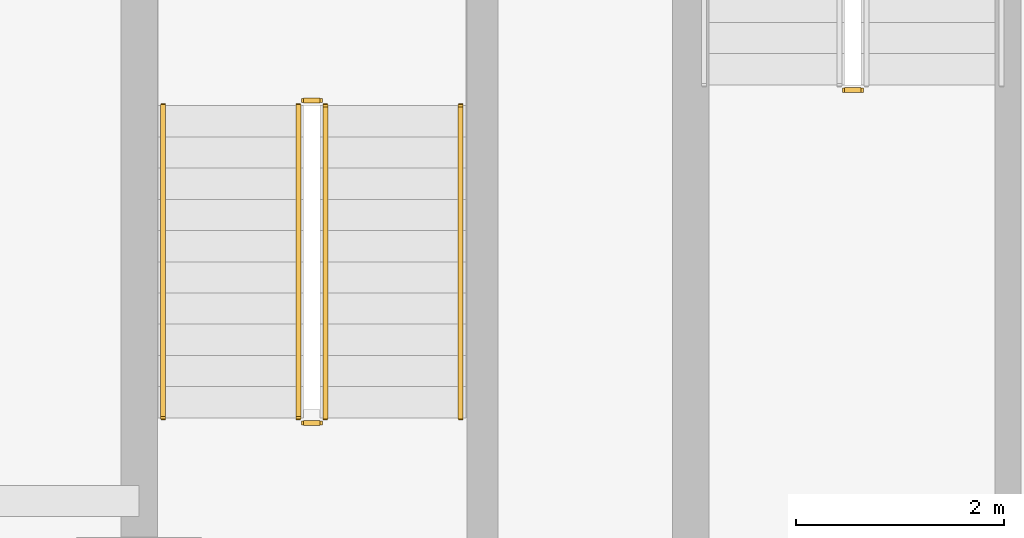
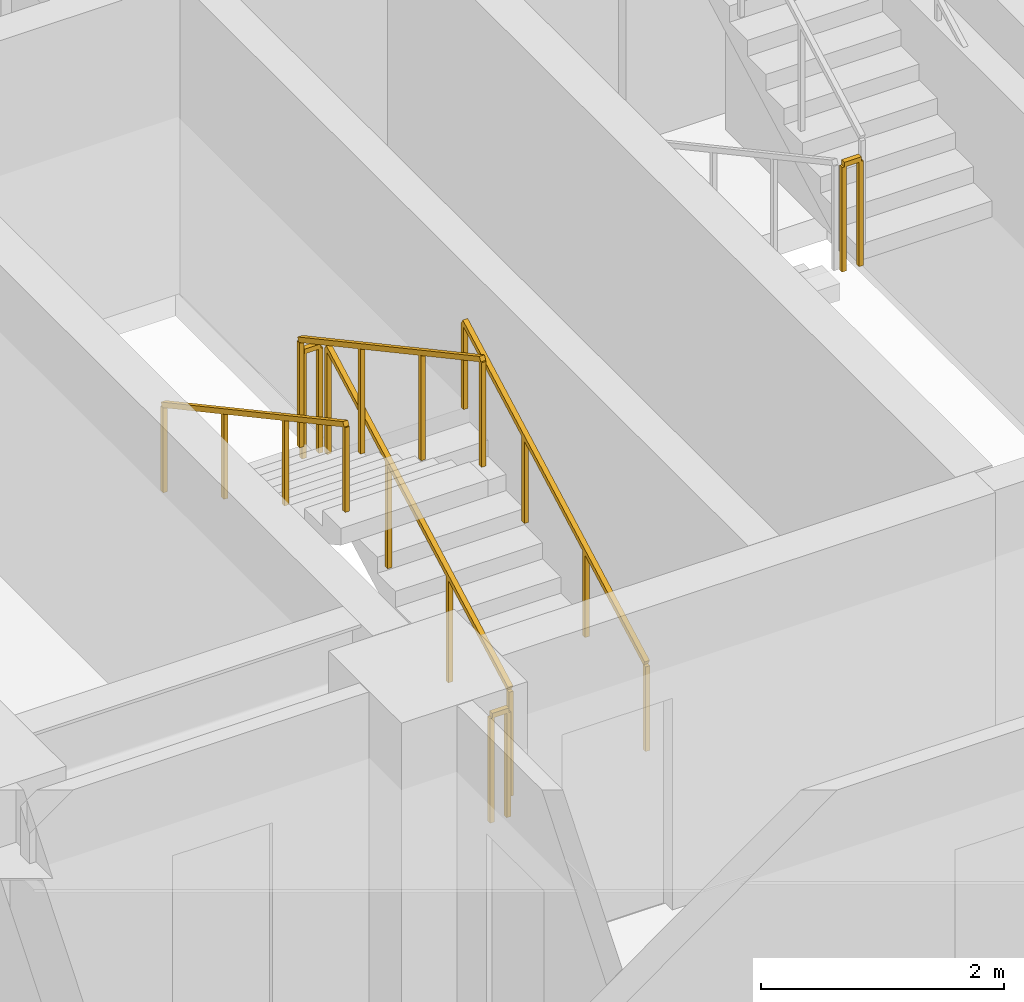
# One storey, part 7 of 12: 7 railings.
"""IFC4 building model written with IfcOpenShell, lengths in metres."""

from ifc_helpers import new_model, si_unit, direction, frame, origin, origin_2d, place, context, subcontext, project, spatial, rectangle, extrude, material, type_object, element, save


model = new_model("IFC4")

# Units and contexts
model_context = context("Model", 3, precision=1e-05, world=origin(), true_north=direction((0.0, 1.0)))
body_context = subcontext(model_context, "Body", "Model", "MODEL_VIEW")
ifc_project = project(units=[si_unit("LENGTHUNIT", "METRE"), si_unit("AREAUNIT", "SQUARE_METRE"), si_unit("VOLUMEUNIT", "CUBIC_METRE"), si_unit("PLANEANGLEUNIT", "RADIAN"), si_unit("MASSUNIT", "GRAM", prefix="KILO")], contexts=[model_context])

# Site, building, storey
site_placement = place(None, origin())
site = spatial("IfcSite", under=ifc_project, at=site_placement, CompositionType="ELEMENT")
building_placement = place(site_placement, origin())
building = spatial("IfcBuilding", under=site, at=building_placement, Name="Zulmaris Gate Convention Tower", CompositionType="ELEMENT")
storey_placement = place(building_placement, frame((0.0, 0.0, 48.6201171875)))
storey = spatial("IfcBuildingStorey", under=building, at=storey_placement, Name="L11", CompositionType="ELEMENT", Elevation=48.6201171875)

# Railings
ifc_material_1 = material(Name="Painted Galvanised Steel", Category="steel")
railing_type_1 = type_object("IfcRailingType", Name="RL-STG-1150", PredefinedType="GUARDRAIL", material=ifc_material_1)
railing_1_placement = place(storey_placement, frame((-13.219970703125, -5.050048828125, 1.784912109375)))
element("IfcRailing", 1, at=railing_1_placement, inside=storey, type_object=railing_type_1, Name="L11 ST-1 stair guard 2", PredefinedType="GUARDRAIL", context=body_context, shape_type="SweptSolid", body=[
    extrude(rectangle(XDim=0.048095703125, YDim=0.048095703125, at=origin_2d()), frame((0.0, 0.0, 1.076171875), z_axis=(1.0, 0.0, 0.0), x_axis=(0.0, 1.0, 0.0)), (0.0, 0.0, 1.0), 0.159912109375),
    extrude(rectangle(XDim=0.0419921875, YDim=0.0419921875, at=origin_2d()), origin(), (0.0, 0.0, 1.0), 1.052001953125),
    extrude(rectangle(XDim=0.0419921875, YDim=0.0419921875, at=origin_2d()), frame((0.159912109375, 0.0, 0.0)), (0.0, 0.0, 1.0), 1.052001953125),
])
railing_2_placement = place(storey_placement, frame((-18.2099609375, -8.199951171875, 0.162353515625)))
element("IfcRailing", 2, at=railing_2_placement, inside=storey, type_object=railing_type_1, Name="L11 ST-3 stair guard 1", PredefinedType="GUARDRAIL", context=body_context, shape_type="SweptSolid", body=[
    extrude(rectangle(XDim=0.048095703125, YDim=0.048095703125, at=origin_2d()), frame((0.0, 0.0, 1.076171875), z_axis=(0.0, 0.879591569277, 0.475729619907), x_axis=(-1.0, 0.0, 0.0)), (0.0, 0.0, 1.0), 3.41064453125),
    extrude(rectangle(XDim=0.0419921875, YDim=0.0419921875, at=origin_2d()), origin(), (0.0, 0.0, 1.0), 1.052001953125),
    extrude(rectangle(XDim=0.0419921875, YDim=0.0419921875, at=origin_2d()), frame((0.0, 1.0, 0.540771484375)), (0.0, 0.0, 1.0), 1.052001953125),
    extrude(rectangle(XDim=0.0419921875, YDim=0.0419921875, at=origin_2d()), frame((0.0, 2.0, 1.081787109375)), (0.0, 0.0, 1.0), 1.052001953125),
    extrude(rectangle(XDim=0.0419921875, YDim=0.0419921875, at=origin_2d()), frame((0.0, 3.0, 1.62255859375)), (0.0, 0.0, 1.0), 1.052001953125),
])
railing_3_placement = place(storey_placement, frame((-18.260009765625, -5.14990234375, 1.784912109375)))
element("IfcRailing", 3, at=railing_3_placement, inside=storey, type_object=railing_type_1, Name="L11 ST-3 stair guard 2", PredefinedType="GUARDRAIL", context=body_context, shape_type="SweptSolid", body=[
    extrude(rectangle(XDim=0.048095703125, YDim=0.048095703125, at=origin_2d()), frame((0.0, 0.0, 1.076171875), z_axis=(-1.0, 0.0, 0.0), x_axis=(0.0, -1.0, 0.0)), (0.0, 0.0, 1.0), 0.159912109375),
    extrude(rectangle(XDim=0.0419921875, YDim=0.0419921875, at=origin_2d()), origin(), (0.0, 0.0, 1.0), 1.052001953125),
    extrude(rectangle(XDim=0.0419921875, YDim=0.0419921875, at=origin_2d()), frame((-0.159912109375, 0.0, 0.0)), (0.0, 0.0, 1.0), 1.052001953125),
])
railing_4_placement = place(storey_placement, frame((-18.469970703125, -5.199951171875, 1.947265625)))
element("IfcRailing", 4, at=railing_4_placement, inside=storey, type_object=railing_type_1, Name="L11 ST-3 stair guard 3", PredefinedType="GUARDRAIL", context=body_context, shape_type="SweptSolid", body=[
    extrude(rectangle(XDim=0.048095703125, YDim=0.048095703125, at=origin_2d()), frame((0.0, 0.0, 1.076171875), z_axis=(0.0, -0.879591569277, 0.475729619907), x_axis=(1.0, 0.0, 0.0)), (0.0, 0.0, 1.0), 3.41064453125),
    extrude(rectangle(XDim=0.0419921875, YDim=0.0419921875, at=origin_2d()), origin(), (0.0, 0.0, 1.0), 1.052001953125),
    extrude(rectangle(XDim=0.0419921875, YDim=0.0419921875, at=origin_2d()), frame((0.0, -1.0, 0.540771484375)), (0.0, 0.0, 1.0), 1.052001953125),
    extrude(rectangle(XDim=0.0419921875, YDim=0.0419921875, at=origin_2d()), frame((0.0, -2.0, 1.081787109375)), (0.0, 0.0, 1.0), 1.052001953125),
    extrude(rectangle(XDim=0.0419921875, YDim=0.0419921875, at=origin_2d()), frame((0.0, -3.0, 1.62255859375)), (0.0, 0.0, 1.0), 1.052001953125),
])
railing_5_placement = place(storey_placement, frame((-18.260009765625, -8.25, 0.0)))
element("IfcRailing", 5, at=railing_5_placement, inside=storey, type_object=railing_type_1, Name="L11 ST-3 stair guard 4", PredefinedType="GUARDRAIL", context=body_context, shape_type="SweptSolid", body=[
    extrude(rectangle(XDim=0.048095703125, YDim=0.048095703125, at=origin_2d()), frame((0.0, 0.0, 1.076171875), z_axis=(-1.0, 0.0, 0.0), x_axis=(0.0, -1.0, 0.0)), (0.0, 0.0, 1.0), 0.159912109375),
    extrude(rectangle(XDim=0.0419921875, YDim=0.0419921875, at=origin_2d()), origin(), (0.0, 0.0, 1.0), 1.052001953125),
    extrude(rectangle(XDim=0.0419921875, YDim=0.0419921875, at=origin_2d()), frame((-0.159912109375, 0.0, 0.0)), (0.0, 0.0, 1.0), 1.052001953125),
])
ifc_material_2 = material(Name="Brushed Stainless Steel", Category="steel")
railing_type_2 = type_object("IfcRailingType", Name="RL-STH-900", PredefinedType="HANDRAIL", material=ifc_material_2)
railing_6_placement = place(storey_placement, frame((-16.909912109375, -8.199951171875, 0.162353515625)))
element("IfcRailing", 6, at=railing_6_placement, inside=storey, type_object=railing_type_2, Name="L11 ST-3 stair handrail 1", PredefinedType="HANDRAIL", context=body_context, shape_type="SweptSolid", body=[
    extrude(rectangle(XDim=0.048095703125, YDim=0.048095703125, at=origin_2d()), frame((0.0, 0.0, 0.8759765625), z_axis=(0.0, 0.879591569277, 0.475729619907), x_axis=(-1.0, 0.0, 0.0)), (0.0, 0.0, 1.0), 3.41064453125),
    extrude(rectangle(XDim=0.0419921875, YDim=0.0419921875, at=origin_2d()), origin(), (0.0, 0.0, 1.0), 0.851806640625),
    extrude(rectangle(XDim=0.0419921875, YDim=0.0419921875, at=origin_2d()), frame((0.0, 1.0, 0.540771484375)), (0.0, 0.0, 1.0), 0.851806640625),
    extrude(rectangle(XDim=0.0419921875, YDim=0.0419921875, at=origin_2d()), frame((0.0, 2.0, 1.081787109375)), (0.0, 0.0, 1.0), 0.851806640625),
    extrude(rectangle(XDim=0.0419921875, YDim=0.0419921875, at=origin_2d()), frame((0.0, 3.0, 1.62255859375)), (0.0, 0.0, 1.0), 0.851806640625),
])
railing_7_placement = place(storey_placement, frame((-19.77001953125, -5.199951171875, 1.947265625)))
element("IfcRailing", 7, at=railing_7_placement, inside=storey, type_object=railing_type_2, Name="L11 ST-3 stair handrail 2", PredefinedType="HANDRAIL", context=body_context, shape_type="SweptSolid", body=[
    extrude(rectangle(XDim=0.048095703125, YDim=0.048095703125, at=origin_2d()), frame((0.0, 0.0, 0.8759765625), z_axis=(0.0, -0.879591569277, 0.475729619907), x_axis=(1.0, 0.0, 0.0)), (0.0, 0.0, 1.0), 3.41064453125),
    extrude(rectangle(XDim=0.0419921875, YDim=0.0419921875, at=origin_2d()), origin(), (0.0, 0.0, 1.0), 0.851806640625),
    extrude(rectangle(XDim=0.0419921875, YDim=0.0419921875, at=origin_2d()), frame((0.0, -1.0, 0.540771484375)), (0.0, 0.0, 1.0), 0.851806640625),
    extrude(rectangle(XDim=0.0419921875, YDim=0.0419921875, at=origin_2d()), frame((0.0, -2.0, 1.081787109375)), (0.0, 0.0, 1.0), 0.851806640625),
    extrude(rectangle(XDim=0.0419921875, YDim=0.0419921875, at=origin_2d()), frame((0.0, -3.0, 1.62255859375)), (0.0, 0.0, 1.0), 0.851806640625),
])

save(model, "model.ifc")
